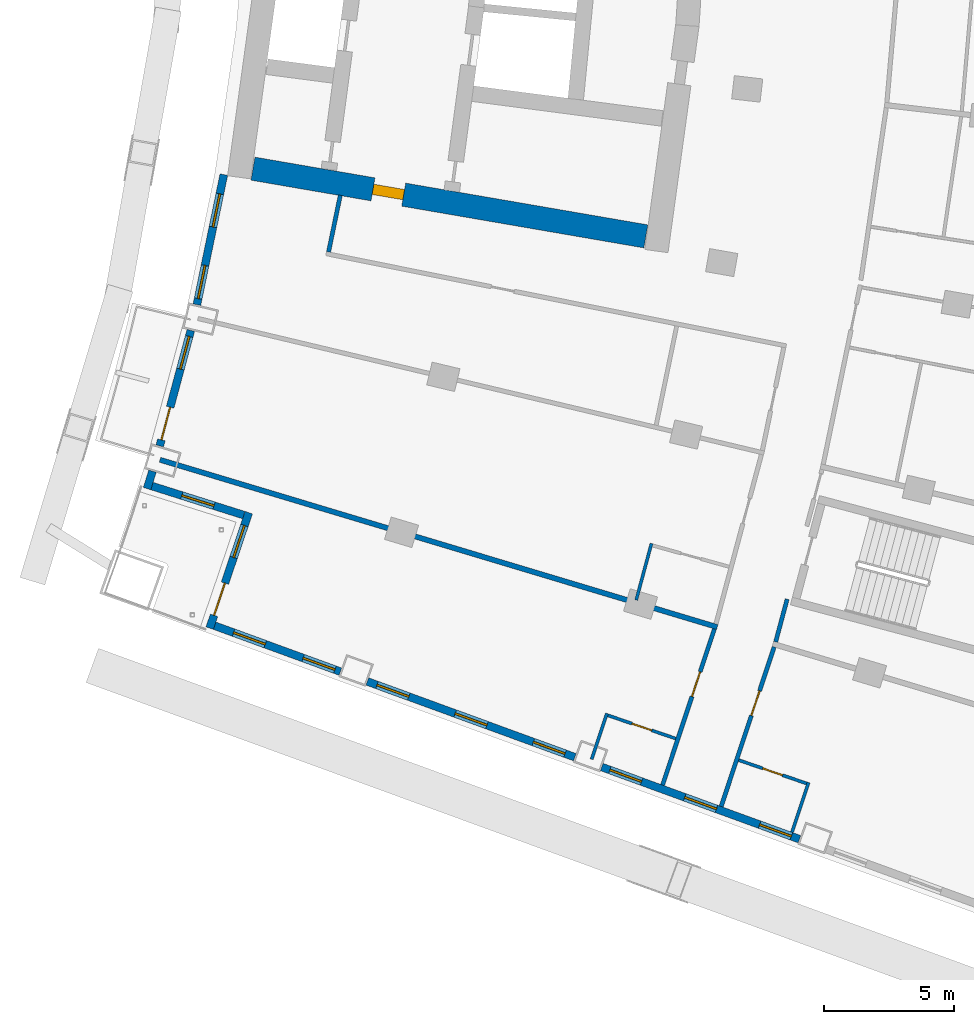
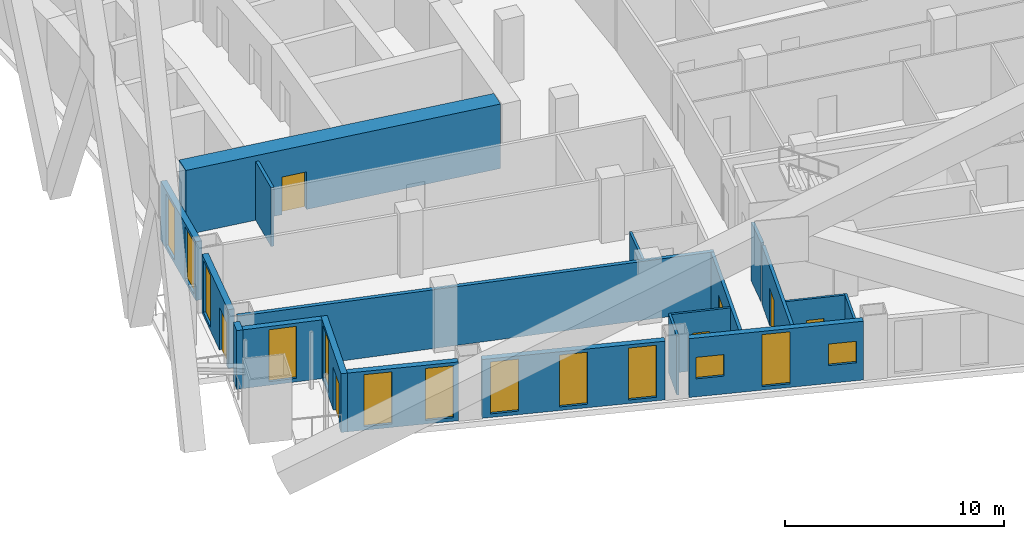
# One storey, part 13 of 25: 19 walls, 13 windows, 7 doors, 20 openings.
"""IFC4 building model written with IfcOpenShell, lengths in metres."""

from ifc_helpers import new_model, si_unit, direction, frame, frame_2d, origin, place, context, subcontext, project, spatial, rectangle, extrude, material, layer, layer_set, type_object, element, fill, save


model = new_model("IFC4")

# Units and contexts
model_context = context("Model", 3, precision=1e-05, world=origin(), true_north=direction((0.0, 1.0)))
body_context = subcontext(model_context, "Body", "Model", "MODEL_VIEW")
ifc_project = project(units=[si_unit("LENGTHUNIT", "METRE"), si_unit("AREAUNIT", "SQUARE_METRE"), si_unit("VOLUMEUNIT", "CUBIC_METRE"), si_unit("PLANEANGLEUNIT", "RADIAN"), si_unit("MASSUNIT", "GRAM", prefix="KILO")], contexts=[model_context])

# Site, building, storey
site_placement = place(None, origin())
site = spatial("IfcSite", under=ifc_project, at=site_placement, CompositionType="ELEMENT")
building_placement = place(site_placement, origin())
building = spatial("IfcBuilding", under=site, at=building_placement, Name="Alderwake Tower", CompositionType="ELEMENT")
storey_placement = place(building_placement, frame((0.0, 0.0, 32.0)))
storey = spatial("IfcBuildingStorey", under=building, at=storey_placement, Name="L06", CompositionType="ELEMENT", Elevation=32.0)

# Wall, opening, door
ifc_material_1 = material(Name="Concrete C70/85", Category="concrete")
ifc_layer_1 = layer(ifc_material_1, 0.89990234375)
ifc_layer_set_1 = layer_set([ifc_layer_1], Name="Core wall outer 900 C70-85")
wall_type_1 = type_object("IfcWallType", Name="Core wall outer 900 C70-85", PredefinedType="SHEAR", material=ifc_layer_set_1)
wall_1_placement = place(storey_placement, frame((31.11328125, 41.846923828125, 0.0), z_axis=(0.0, 0.0, 1.0), x_axis=(-0.985466640605, 0.169869067972, 0.0)))
wall_1 = element("IfcWall", 1, at=wall_1_placement, inside=storey, type_object=wall_type_1, Name="Core wall CW.070", PredefinedType="SHEAR", context=body_context, shape_type="SweptSolid", body=[
    extrude(rectangle(XDim=15.336669921875, YDim=0.89990234375, at=frame_2d((7.66845703125, 0.0))), origin(), (0.0, 0.0, 1.0), 3.60009765625),
])
opening_1_placement = place(wall_1_placement, frame((9.451904296875, 0.0, 0.0)))
opening_1 = element("IfcOpeningElement", 2, at=opening_1_placement, cuts=wall_1, Name="Opening C003", PredefinedType="OPENING", context=body_context, shape_type="SweptSolid", body=[
    extrude(rectangle(XDim=1.199951171875, YDim=2.10009765625, at=frame_2d((0.60009765625, 1.050048828125))), frame((0.0, 0.4599609375, 0.0), z_axis=(0.0, -1.0, 0.0), x_axis=(1.0, 0.0, 0.0)), (0.0, 0.0, 1.0), 0.919921875),
])
ifc_material_2 = material(Name="Steel-framed fire door leaf", Category="steel")
door_type_1 = type_object("IfcDoorType", Name="Core lobby exit door 1200 fire-rated", OperationType="SINGLE_SWING_LEFT", PredefinedType="DOOR", material=ifc_material_2)
door_1_placement = place(opening_1_placement, origin())
door_1 = element("IfcDoor", 3, at=door_1_placement, inside=storey, type_object=door_type_1, Name="Lobby door", OperationType="SINGLE_SWING_LEFT", OverallHeight=2.10009765625, OverallWidth=1.199951171875, PredefinedType="DOOR", context=body_context, shape_type="SweptSolid", body=[
    extrude(rectangle(XDim=1.199951171875, YDim=2.10009765625, at=frame_2d((0.60009765625, 1.050048828125))), frame((0.0, 0.199951171875, 0.0), z_axis=(0.0, -1.0, 0.0), x_axis=(1.0, 0.0, 0.0)), (0.0, 0.0, 1.0), 0.39990234375),
])
fill(opening_1, door_1)

# Wall
ifc_material_3 = material(Name="Gypsum board on metal studs, rated")
ifc_layer_2 = layer(ifc_material_3, 0.159912109375)
ifc_layer_set_2 = layer_set([ifc_layer_2], Name="Corridor wall 160")
wall_type_2 = type_object("IfcWallType", Name="Corridor wall 160", PredefinedType="PARTITIONING", material=ifc_layer_set_2)
wall_2_placement = place(storey_placement, frame((19.35888671875, 43.430908203125, 0.0), z_axis=(0.0, 0.0, 1.0), x_axis=(-0.202554916658, -0.979270905183, 0.0)))
element("IfcWall", 4, at=wall_2_placement, inside=storey, type_object=wall_type_2, Name="WL/L06/W19", PredefinedType="PARTITIONING", context=body_context, shape_type="SweptSolid", body=[
    extrude(rectangle(XDim=2.229736328125, YDim=0.159912109375, at=frame_2d((1.11474609375, 0.0))), origin(), (0.0, 0.0, 1.0), 3.280029296875),
])

# Wall, opening, door
wall_3_placement = place(storey_placement, frame((31.7548828125, 20.739013671875, 0.0), z_axis=(0.0, 0.0, 1.0), x_axis=(0.31554473692, 0.948910701279, 0.0)))
wall_3 = element("IfcWall", 5, at=wall_3_placement, inside=storey, type_object=wall_type_2, Name="WL/L06/W21", PredefinedType="PARTITIONING", context=body_context, shape_type="SweptSolid", body=[
    extrude(rectangle(XDim=6.327392578125, YDim=0.159912109375, at=frame_2d((3.16357421875, 0.0))), origin(), (0.0, 0.0, 1.0), 3.280029296875),
])
opening_2_placement = place(wall_3_placement, frame((3.59130859375, 0.0, 0.0)))
opening_2 = element("IfcOpeningElement", 6, at=opening_2_placement, cuts=wall_3, Name="Opening R01-U10.1", PredefinedType="OPENING", context=body_context, shape_type="SweptSolid", body=[
    extrude(rectangle(XDim=1.0, YDim=2.10009765625, at=frame_2d((0.5, 1.050048828125))), frame((0.0, 0.08984375, 0.0), z_axis=(0.0, -1.0, 0.0), x_axis=(1.0, 0.0, 0.0)), (0.0, 0.0, 1.0), 0.179931640625),
])
ifc_material_4 = material(Name="Solid timber leaf in steel frame", Category="steel")
door_type_2 = type_object("IfcDoorType", Name="Flat entrance door 1000 fire-rated", OperationType="SINGLE_SWING_LEFT", PredefinedType="DOOR", material=ifc_material_4)
door_2_placement = place(opening_2_placement, origin())
door_2 = element("IfcDoor", 7, at=door_2_placement, inside=storey, type_object=door_type_2, Name="DR/L06/U10.1", OperationType="SINGLE_SWING_LEFT", OverallHeight=2.10009765625, OverallWidth=1.0, PredefinedType="DOOR", context=body_context, shape_type="SweptSolid", body=[
    extrude(rectangle(XDim=1.0, YDim=2.10009765625, at=frame_2d((0.5, 1.050048828125))), frame((0.0, 0.02490234375, 0.0), z_axis=(0.0, -1.0, 0.0), x_axis=(1.0, 0.0, 0.0)), (0.0, 0.0, 1.0), 0.050048828125),
])
fill(opening_2, door_2)

wall_4_placement = place(storey_placement, frame((36.049560546875, 26.052978515625, 0.0), z_axis=(0.0, 0.0, 1.0), x_axis=(-0.315151894598, -0.949041244273, 0.0)))
wall_4 = element("IfcWall", 8, at=wall_4_placement, inside=storey, type_object=wall_type_2, Name="WL/L06/W23", PredefinedType="PARTITIONING", context=body_context, shape_type="SweptSolid", body=[
    extrude(rectangle(XDim=6.468505859375, YDim=0.159912109375, at=frame_2d((3.234375, 0.0))), origin(), (0.0, 0.0, 1.0), 3.280029296875),
])
opening_3_placement = place(wall_4_placement, frame((1.7822265625, 0.0, 0.0)))
opening_3 = element("IfcOpeningElement", 9, at=opening_3_placement, cuts=wall_4, Name="Opening R01-U03.1", PredefinedType="OPENING", context=body_context, shape_type="SweptSolid", body=[
    extrude(rectangle(XDim=1.0, YDim=2.10009765625, at=frame_2d((0.5, 1.050048828125))), frame((0.0, 0.08984375, 0.0), z_axis=(0.0, -1.0, 0.0), x_axis=(1.0, 0.0, 0.0)), (0.0, 0.0, 1.0), 0.179931640625),
])
door_3_placement = place(opening_3_placement, origin())
door_3 = element("IfcDoor", 10, at=door_3_placement, inside=storey, type_object=door_type_2, Name="DR/L06/U03.1", OperationType="SINGLE_SWING_LEFT", OverallHeight=2.10009765625, OverallWidth=1.0, PredefinedType="DOOR", context=body_context, shape_type="SweptSolid", body=[
    extrude(rectangle(XDim=1.0, YDim=2.10009765625, at=frame_2d((0.5, 1.050048828125))), frame((0.0, 0.02490234375, 0.0), z_axis=(0.0, -1.0, 0.0), x_axis=(1.0, 0.0, 0.0)), (0.0, 0.0, 1.0), 0.050048828125),
])
fill(opening_3, door_3)

# Walls
wall_5_placement = place(storey_placement, frame((36.10693359375, 26.24462890625, 0.0), z_axis=(0.0, 0.0, 1.0), x_axis=(0.259346865847, 0.965784242559, 0.0)))
element("IfcWall", 11, at=wall_5_placement, inside=storey, type_object=wall_type_2, Name="WL/L06/W27", PredefinedType="PARTITIONING", context=body_context, shape_type="SweptSolid", body=[
    extrude(rectangle(XDim=1.704833984375, YDim=0.159912109375, at=frame_2d((0.8525390625, 0.0))), origin(), (0.0, 0.0, 1.0), 3.280029296875),
])
ifc_material_5 = material(Name="Precast concrete C50/60 spandrel panel", Category="concrete")
ifc_layer_3 = layer(ifc_material_5, 0.300048828125)
ifc_layer_set_3 = layer_set([ifc_layer_3], Name="External wall EW1 Precast concrete C50/60 spandrel")
wall_type_3 = type_object("IfcWallType", Name="External wall EW1 Precast concrete C50/60 spandrel", PredefinedType="SOLIDWALL", material=ifc_layer_set_3)
wall_6_placement = place(storey_placement, frame((12.1328125, 32.814453125, 0.0), z_axis=(0.0, 0.0, 1.0), x_axis=(-0.294671831364, -0.955598509731, 0.0)))
element("IfcWall", 12, at=wall_6_placement, inside=storey, type_object=wall_type_3, Name="External wall 1", PredefinedType="SOLIDWALL", context=body_context, shape_type="SweptSolid", body=[
    extrude(rectangle(XDim=0.70263671875, YDim=0.300048828125, at=frame_2d((0.351318359375, 0.0))), origin(), (0.0, 0.0, 1.0), 3.280029296875),
])

# Wall, openings, windows
wall_7_placement = place(storey_placement, frame((14.878173828125, 44.223388671875, 0.0), z_axis=(0.0, 0.0, 1.0), x_axis=(-0.202738354746, -0.979232944459, 0.0)))
wall_7 = element("IfcWall", 13, at=wall_7_placement, inside=storey, type_object=wall_type_3, Name="External wall 35", PredefinedType="SOLIDWALL", context=body_context, shape_type="SweptSolid", body=[
    extrude(rectangle(XDim=5.1083984375, YDim=0.300048828125, at=frame_2d((2.55419921875, 0.0))), origin(), (0.0, 0.0, 1.0), 3.280029296875),
])
opening_4_placement = place(wall_7_placement, frame((0.75634765625, 0.0, 0.199951171875)))
opening_4 = element("IfcOpeningElement", 14, at=opening_4_placement, cuts=wall_7, Name="Opening W1", PredefinedType="OPENING", context=body_context, shape_type="SweptSolid", body=[
    extrude(rectangle(XDim=1.300048828125, YDim=2.89990234375, at=frame_2d((0.64990234375, 1.449951171875))), frame((0.0, 0.159912109375, 0.0), z_axis=(0.0, -1.0, 0.0), x_axis=(1.0, 0.0, 0.0)), (0.0, 0.0, 1.0), 0.320068359375),
])
opening_5_placement = place(wall_7_placement, frame((3.569091796875, 0.0, 0.199951171875)))
opening_5 = element("IfcOpeningElement", 15, at=opening_5_placement, cuts=wall_7, Name="Opening W1", PredefinedType="OPENING", context=body_context, shape_type="SweptSolid", body=[
    extrude(rectangle(XDim=1.300048828125, YDim=2.89990234375, at=frame_2d((0.64990234375, 1.449951171875))), frame((0.0, 0.159912109375, 0.0), z_axis=(0.0, -1.0, 0.0), x_axis=(1.0, 0.0, 0.0)), (0.0, 0.0, 1.0), 0.320068359375),
])
ifc_material_6 = material(Name="Bronze tinted glass in aluminium frame", Category="aluminium")
window_type_1 = type_object("IfcWindowType", Name="Window W1 tall fixed and vent", PartitioningType="DOUBLE_PANEL_VERTICAL", PredefinedType="WINDOW", material=ifc_material_6)
window_1_placement = place(opening_4_placement, origin())
window_1 = element("IfcWindow", 16, at=window_1_placement, inside=storey, type_object=window_type_1, Name="Window W1 tall fixed and vent", OverallHeight=2.89990234375, OverallWidth=1.300048828125, PartitioningType="DOUBLE_PANEL_VERTICAL", PredefinedType="WINDOW", context=body_context, shape_type="SweptSolid", body=[
    extrude(rectangle(XDim=1.300048828125, YDim=2.89990234375, at=frame_2d((0.64990234375, 1.449951171875))), frame((0.0, 0.030029296875, 0.0), z_axis=(0.0, -1.0, 0.0), x_axis=(1.0, 0.0, 0.0)), (0.0, 0.0, 1.0), 0.06005859375),
])
fill(opening_4, window_1)
window_2_placement = place(opening_5_placement, origin())
window_2 = element("IfcWindow", 17, at=window_2_placement, inside=storey, type_object=window_type_1, Name="Window W1 tall fixed and vent", OverallHeight=2.89990234375, OverallWidth=1.300048828125, PartitioningType="DOUBLE_PANEL_VERTICAL", PredefinedType="WINDOW", context=body_context, shape_type="SweptSolid", body=[
    extrude(rectangle(XDim=1.300048828125, YDim=2.89990234375, at=frame_2d((0.64990234375, 1.449951171875))), frame((0.0, 0.030029296875, 0.0), z_axis=(0.0, -1.0, 0.0), x_axis=(1.0, 0.0, 0.0)), (0.0, 0.0, 1.0), 0.06005859375),
])
fill(opening_5, window_2)

# Wall, openings, door, window
wall_8_placement = place(storey_placement, frame((13.606689453125, 38.229248046875, 0.0), z_axis=(0.0, 0.0, 1.0), x_axis=(-0.259495671332, -0.965744270788, 0.0)))
wall_8 = element("IfcWall", 18, at=wall_8_placement, inside=storey, type_object=wall_type_3, Name="External wall 36", PredefinedType="SOLIDWALL", context=body_context, shape_type="SweptSolid", body=[
    extrude(rectangle(XDim=4.599609375, YDim=0.300048828125, at=frame_2d((2.2998046875, 0.0))), origin(), (0.0, 0.0, 1.0), 3.280029296875),
])
opening_6_placement = place(wall_8_placement, frame((0.2412109375, 0.0, 0.199951171875)))
opening_6 = element("IfcOpeningElement", 19, at=opening_6_placement, cuts=wall_8, Name="Opening W1", PredefinedType="OPENING", context=body_context, shape_type="SweptSolid", body=[
    extrude(rectangle(XDim=1.300048828125, YDim=2.89990234375, at=frame_2d((0.64990234375, 1.449951171875))), frame((0.0, 0.159912109375, 0.0), z_axis=(0.0, -1.0, 0.0), x_axis=(1.0, 0.0, 0.0)), (0.0, 0.0, 1.0), 0.320068359375),
])
opening_7_placement = place(wall_8_placement, frame((3.058349609375, 0.0, 0.0)))
opening_7 = element("IfcOpeningElement", 20, at=opening_7_placement, cuts=wall_8, Name="Opening D15", PredefinedType="OPENING", context=body_context, shape_type="SweptSolid", body=[
    extrude(rectangle(XDim=1.300048828125, YDim=2.39990234375, at=frame_2d((0.64990234375, 1.199951171875))), frame((0.0, 0.159912109375, 0.0), z_axis=(0.0, -1.0, 0.0), x_axis=(1.0, 0.0, 0.0)), (0.0, 0.0, 1.0), 0.320068359375),
])
ifc_material_7 = material(Name="Bronze tinted glass in aluminium frame", Category="aluminium")
door_type_3 = type_object("IfcDoorType", Name="Balcony door BD sliding", OperationType="SLIDING_TO_LEFT", PredefinedType="DOOR", material=ifc_material_7)
door_4_placement = place(opening_7_placement, origin())
door_4 = element("IfcDoor", 21, at=door_4_placement, inside=storey, type_object=door_type_3, Name="Door D15", OperationType="SLIDING_TO_LEFT", OverallHeight=2.39990234375, OverallWidth=1.300048828125, PredefinedType="DOOR", context=body_context, shape_type="SweptSolid", body=[
    extrude(rectangle(XDim=1.300048828125, YDim=2.39990234375, at=frame_2d((0.64990234375, 1.199951171875))), frame((0.0, 0.02490234375, 0.0), z_axis=(0.0, -1.0, 0.0), x_axis=(1.0, 0.0, 0.0)), (0.0, 0.0, 1.0), 0.050048828125),
])
fill(opening_7, door_4)
window_3_placement = place(opening_6_placement, origin())
window_3 = element("IfcWindow", 22, at=window_3_placement, inside=storey, type_object=window_type_1, Name="Window W1 tall fixed and vent", OverallHeight=2.89990234375, OverallWidth=1.300048828125, PartitioningType="DOUBLE_PANEL_VERTICAL", PredefinedType="WINDOW", context=body_context, shape_type="SweptSolid", body=[
    extrude(rectangle(XDim=1.300048828125, YDim=2.89990234375, at=frame_2d((0.64990234375, 1.449951171875))), frame((0.0, 0.030029296875, 0.0), z_axis=(0.0, -1.0, 0.0), x_axis=(1.0, 0.0, 0.0)), (0.0, 0.0, 1.0), 0.06005859375),
])
fill(opening_6, window_3)

# Wall, opening, window
ifc_material_8 = material(Name="Bronze metal cladding on lightweight framing")
ifc_layer_4 = layer(ifc_material_8, 0.300048828125)
ifc_layer_set_4 = layer_set([ifc_layer_4], Name="External wall EW2 bronze metal cladding")
wall_type_4 = type_object("IfcWallType", Name="External wall EW2 bronze metal cladding", PredefinedType="SOLIDWALL", material=ifc_layer_set_4)
wall_9_placement = place(storey_placement, frame((12.113037109375, 32.2412109375, 0.0), z_axis=(0.0, 0.0, 1.0), x_axis=(0.953458128271, -0.301525451054, 0.0)))
wall_9 = element("IfcWall", 23, at=wall_9_placement, inside=storey, type_object=wall_type_4, Name="External wall 2", PredefinedType="SOLIDWALL", context=body_context, shape_type="SweptSolid", body=[
    extrude(rectangle(XDim=3.705810546875, YDim=0.300048828125, at=frame_2d((1.85302734375, 0.0))), origin(), (0.0, 0.0, 1.0), 3.280029296875),
])
opening_8_placement = place(wall_9_placement, frame((1.202880859375, 0.0, 0.199951171875)))
opening_8 = element("IfcOpeningElement", 24, at=opening_8_placement, cuts=wall_9, Name="Opening W1", PredefinedType="OPENING", context=body_context, shape_type="SweptSolid", body=[
    extrude(rectangle(XDim=1.300048828125, YDim=2.89990234375, at=frame_2d((0.64990234375, 1.449951171875))), frame((0.0, 0.159912109375, 0.0), z_axis=(0.0, -1.0, 0.0), x_axis=(1.0, 0.0, 0.0)), (0.0, 0.0, 1.0), 0.320068359375),
])
window_4_placement = place(opening_8_placement, origin())
window_4 = element("IfcWindow", 25, at=window_4_placement, inside=storey, type_object=window_type_1, Name="Window W1 tall fixed and vent", OverallHeight=2.89990234375, OverallWidth=1.300048828125, PartitioningType="DOUBLE_PANEL_VERTICAL", PredefinedType="WINDOW", context=body_context, shape_type="SweptSolid", body=[
    extrude(rectangle(XDim=1.300048828125, YDim=2.89990234375, at=frame_2d((0.64990234375, 1.449951171875))), frame((0.0, 0.030029296875, 0.0), z_axis=(0.0, -1.0, 0.0), x_axis=(1.0, 0.0, 0.0)), (0.0, 0.0, 1.0), 0.06005859375),
])
fill(opening_8, window_4)

# Wall, openings, door, window
wall_10_placement = place(storey_placement, frame((15.83740234375, 31.220703125, 0.0), z_axis=(0.0, 0.0, 1.0), x_axis=(-0.32041006121, -0.947278941324, 0.0)))
wall_10 = element("IfcWall", 26, at=wall_10_placement, inside=storey, type_object=wall_type_4, Name="External wall 3", PredefinedType="SOLIDWALL", context=body_context, shape_type="SweptSolid", body=[
    extrude(rectangle(XDim=4.68994140625, YDim=0.300048828125, at=frame_2d((2.344970703125, 0.0))), origin(), (0.0, 0.0, 1.0), 3.280029296875),
])
opening_9_placement = place(wall_10_placement, frame((0.5224609375, 0.0, 0.199951171875)))
opening_9 = element("IfcOpeningElement", 27, at=opening_9_placement, cuts=wall_10, Name="Opening W1", PredefinedType="OPENING", context=body_context, shape_type="SweptSolid", body=[
    extrude(rectangle(XDim=1.300048828125, YDim=2.89990234375, at=frame_2d((0.64990234375, 1.449951171875))), frame((0.0, 0.159912109375, 0.0), z_axis=(0.0, -1.0, 0.0), x_axis=(1.0, 0.0, 0.0)), (0.0, 0.0, 1.0), 0.320068359375),
])
opening_10_placement = place(wall_10_placement, frame((2.867431640625, 0.0, 0.0)))
opening_10 = element("IfcOpeningElement", 28, at=opening_10_placement, cuts=wall_10, Name="Opening D01", PredefinedType="OPENING", context=body_context, shape_type="SweptSolid", body=[
    extrude(rectangle(XDim=1.300048828125, YDim=2.39990234375, at=frame_2d((0.64990234375, 1.199951171875))), frame((0.0, 0.159912109375, 0.0), z_axis=(0.0, -1.0, 0.0), x_axis=(1.0, 0.0, 0.0)), (0.0, 0.0, 1.0), 0.320068359375),
])
door_5_placement = place(opening_10_placement, origin())
door_5 = element("IfcDoor", 29, at=door_5_placement, inside=storey, type_object=door_type_3, Name="Door D01", OperationType="SLIDING_TO_LEFT", OverallHeight=2.39990234375, OverallWidth=1.300048828125, PredefinedType="DOOR", context=body_context, shape_type="SweptSolid", body=[
    extrude(rectangle(XDim=1.300048828125, YDim=2.39990234375, at=frame_2d((0.64990234375, 1.199951171875))), frame((0.0, 0.02490234375, 0.0), z_axis=(0.0, -1.0, 0.0), x_axis=(1.0, 0.0, 0.0)), (0.0, 0.0, 1.0), 0.050048828125),
])
fill(opening_10, door_5)
window_5_placement = place(opening_9_placement, origin())
window_5 = element("IfcWindow", 30, at=window_5_placement, inside=storey, type_object=window_type_1, Name="Window W1 tall fixed and vent", OverallHeight=2.89990234375, OverallWidth=1.300048828125, PartitioningType="DOUBLE_PANEL_VERTICAL", PredefinedType="WINDOW", context=body_context, shape_type="SweptSolid", body=[
    extrude(rectangle(XDim=1.300048828125, YDim=2.89990234375, at=frame_2d((0.64990234375, 1.449951171875))), frame((0.0, 0.030029296875, 0.0), z_axis=(0.0, -1.0, 0.0), x_axis=(1.0, 0.0, 0.0)), (0.0, 0.0, 1.0), 0.06005859375),
])
fill(opening_9, window_5)

# Wall, openings, windows
wall_11_placement = place(storey_placement, frame((14.523681640625, 26.86865234375, 0.0), z_axis=(0.0, 0.0, 1.0), x_axis=(0.939371865822, -0.342900127883, 0.0)))
wall_11 = element("IfcWall", 31, at=wall_11_placement, inside=storey, type_object=wall_type_4, Name="External wall 4", PredefinedType="SOLIDWALL", context=body_context, shape_type="SweptSolid", body=[
    extrude(rectangle(XDim=5.149169921875, YDim=0.300048828125, at=frame_2d((2.57470703125, 0.0))), origin(), (0.0, 0.0, 1.0), 3.280029296875),
])
opening_11_placement = place(wall_11_placement, frame((0.775390625, 0.0, 0.199951171875)))
opening_11 = element("IfcOpeningElement", 32, at=opening_11_placement, cuts=wall_11, Name="Opening W1", PredefinedType="OPENING", context=body_context, shape_type="SweptSolid", body=[
    extrude(rectangle(XDim=1.300048828125, YDim=2.89990234375, at=frame_2d((0.64990234375, 1.449951171875))), frame((0.0, 0.159912109375, 0.0), z_axis=(0.0, -1.0, 0.0), x_axis=(1.0, 0.0, 0.0)), (0.0, 0.0, 1.0), 0.320068359375),
])
opening_12_placement = place(wall_11_placement, frame((3.626220703125, 0.0, 0.199951171875)))
opening_12 = element("IfcOpeningElement", 33, at=opening_12_placement, cuts=wall_11, Name="Opening W1", PredefinedType="OPENING", context=body_context, shape_type="SweptSolid", body=[
    extrude(rectangle(XDim=1.300048828125, YDim=2.89990234375, at=frame_2d((0.64990234375, 1.449951171875))), frame((0.0, 0.159912109375, 0.0), z_axis=(0.0, -1.0, 0.0), x_axis=(1.0, 0.0, 0.0)), (0.0, 0.0, 1.0), 0.320068359375),
])
window_6_placement = place(opening_11_placement, origin())
window_6 = element("IfcWindow", 34, at=window_6_placement, inside=storey, type_object=window_type_1, Name="Window W1 tall fixed and vent", OverallHeight=2.89990234375, OverallWidth=1.300048828125, PartitioningType="DOUBLE_PANEL_VERTICAL", PredefinedType="WINDOW", context=body_context, shape_type="SweptSolid", body=[
    extrude(rectangle(XDim=1.300048828125, YDim=2.89990234375, at=frame_2d((0.64990234375, 1.449951171875))), frame((0.0, 0.030029296875, 0.0), z_axis=(0.0, -1.0, 0.0), x_axis=(1.0, 0.0, 0.0)), (0.0, 0.0, 1.0), 0.06005859375),
])
fill(opening_11, window_6)
window_7_placement = place(opening_12_placement, origin())
window_7 = element("IfcWindow", 35, at=window_7_placement, inside=storey, type_object=window_type_1, Name="Window W1 tall fixed and vent", OverallHeight=2.89990234375, OverallWidth=1.300048828125, PartitioningType="DOUBLE_PANEL_VERTICAL", PredefinedType="WINDOW", context=body_context, shape_type="SweptSolid", body=[
    extrude(rectangle(XDim=1.300048828125, YDim=2.89990234375, at=frame_2d((0.64990234375, 1.449951171875))), frame((0.0, 0.030029296875, 0.0), z_axis=(0.0, -1.0, 0.0), x_axis=(1.0, 0.0, 0.0)), (0.0, 0.0, 1.0), 0.06005859375),
])
fill(opening_12, window_7)

wall_12_placement = place(storey_placement, frame((20.398681640625, 24.72412109375, 0.0), z_axis=(0.0, 0.0, 1.0), x_axis=(0.939369809957, -0.342905759856, 0.0)))
wall_12 = element("IfcWall", 36, at=wall_12_placement, inside=storey, type_object=wall_type_4, Name="External wall 5", PredefinedType="SOLIDWALL", context=body_context, shape_type="SweptSolid", body=[
    extrude(rectangle(XDim=8.495361328125, YDim=0.300048828125, at=frame_2d((4.24755859375, 0.0))), origin(), (0.0, 0.0, 1.0), 3.280029296875),
])
opening_13_placement = place(wall_12_placement, frame((0.3974609375, 0.0, 0.199951171875)))
opening_13 = element("IfcOpeningElement", 37, at=opening_13_placement, cuts=wall_12, Name="Opening W1", PredefinedType="OPENING", context=body_context, shape_type="SweptSolid", body=[
    extrude(rectangle(XDim=1.300048828125, YDim=2.89990234375, at=frame_2d((0.64990234375, 1.449951171875))), frame((0.0, 0.159912109375, 0.0), z_axis=(0.0, -1.0, 0.0), x_axis=(1.0, 0.0, 0.0)), (0.0, 0.0, 1.0), 0.320068359375),
])
opening_14_placement = place(wall_12_placement, frame((3.597412109375, 0.0, 0.199951171875)))
opening_14 = element("IfcOpeningElement", 38, at=opening_14_placement, cuts=wall_12, Name="Opening W1", PredefinedType="OPENING", context=body_context, shape_type="SweptSolid", body=[
    extrude(rectangle(XDim=1.300048828125, YDim=2.89990234375, at=frame_2d((0.64990234375, 1.449951171875))), frame((0.0, 0.159912109375, 0.0), z_axis=(0.0, -1.0, 0.0), x_axis=(1.0, 0.0, 0.0)), (0.0, 0.0, 1.0), 0.320068359375),
])
opening_15_placement = place(wall_12_placement, frame((6.797607421875, 0.0, 0.199951171875)))
opening_15 = element("IfcOpeningElement", 39, at=opening_15_placement, cuts=wall_12, Name="Opening W1", PredefinedType="OPENING", context=body_context, shape_type="SweptSolid", body=[
    extrude(rectangle(XDim=1.300048828125, YDim=2.89990234375, at=frame_2d((0.64990234375, 1.449951171875))), frame((0.0, 0.159912109375, 0.0), z_axis=(0.0, -1.0, 0.0), x_axis=(1.0, 0.0, 0.0)), (0.0, 0.0, 1.0), 0.320068359375),
])
window_8_placement = place(opening_13_placement, origin())
window_8 = element("IfcWindow", 40, at=window_8_placement, inside=storey, type_object=window_type_1, Name="Window W1 tall fixed and vent", OverallHeight=2.89990234375, OverallWidth=1.300048828125, PartitioningType="DOUBLE_PANEL_VERTICAL", PredefinedType="WINDOW", context=body_context, shape_type="SweptSolid", body=[
    extrude(rectangle(XDim=1.300048828125, YDim=2.89990234375, at=frame_2d((0.64990234375, 1.449951171875))), frame((0.0, 0.030029296875, 0.0), z_axis=(0.0, -1.0, 0.0), x_axis=(1.0, 0.0, 0.0)), (0.0, 0.0, 1.0), 0.06005859375),
])
fill(opening_13, window_8)
window_9_placement = place(opening_14_placement, origin())
window_9 = element("IfcWindow", 41, at=window_9_placement, inside=storey, type_object=window_type_1, Name="Window W1 tall fixed and vent", OverallHeight=2.89990234375, OverallWidth=1.300048828125, PartitioningType="DOUBLE_PANEL_VERTICAL", PredefinedType="WINDOW", context=body_context, shape_type="SweptSolid", body=[
    extrude(rectangle(XDim=1.300048828125, YDim=2.89990234375, at=frame_2d((0.64990234375, 1.449951171875))), frame((0.0, 0.030029296875, 0.0), z_axis=(0.0, -1.0, 0.0), x_axis=(1.0, 0.0, 0.0)), (0.0, 0.0, 1.0), 0.06005859375),
])
fill(opening_14, window_9)
window_10_placement = place(opening_15_placement, origin())
window_10 = element("IfcWindow", 42, at=window_10_placement, inside=storey, type_object=window_type_1, Name="Window W1 tall fixed and vent", OverallHeight=2.89990234375, OverallWidth=1.300048828125, PartitioningType="DOUBLE_PANEL_VERTICAL", PredefinedType="WINDOW", context=body_context, shape_type="SweptSolid", body=[
    extrude(rectangle(XDim=1.300048828125, YDim=2.89990234375, at=frame_2d((0.64990234375, 1.449951171875))), frame((0.0, 0.030029296875, 0.0), z_axis=(0.0, -1.0, 0.0), x_axis=(1.0, 0.0, 0.0)), (0.0, 0.0, 1.0), 0.06005859375),
])
fill(opening_15, window_10)

wall_13_placement = place(storey_placement, frame((29.416748046875, 21.432373046875, 0.0), z_axis=(0.0, 0.0, 1.0), x_axis=(0.939375360712, -0.34289055351, 0.0)))
wall_13 = element("IfcWall", 43, at=wall_13_placement, inside=storey, type_object=wall_type_4, Name="External wall 6", PredefinedType="SOLIDWALL", context=body_context, shape_type="SweptSolid", body=[
    extrude(rectangle(XDim=8.095458984375, YDim=0.300048828125, at=frame_2d((4.0478515625, 0.0))), origin(), (0.0, 0.0, 1.0), 3.280029296875),
])
opening_16_placement = place(wall_13_placement, frame((0.3310546875, 0.0, 1.0)))
opening_16 = element("IfcOpeningElement", 44, at=opening_16_placement, cuts=wall_13, Name="Opening W2", PredefinedType="OPENING", context=body_context, shape_type="SweptSolid", body=[
    extrude(rectangle(XDim=1.300048828125, YDim=1.199951171875, at=frame_2d((0.64990234375, 0.60009765625))), frame((0.0, 0.159912109375, 0.0), z_axis=(0.0, -1.0, 0.0), x_axis=(1.0, 0.0, 0.0)), (0.0, 0.0, 1.0), 0.320068359375),
])
opening_17_placement = place(wall_13_placement, frame((3.397705078125, 0.0, 0.199951171875)))
opening_17 = element("IfcOpeningElement", 45, at=opening_17_placement, cuts=wall_13, Name="Opening W1", PredefinedType="OPENING", context=body_context, shape_type="SweptSolid", body=[
    extrude(rectangle(XDim=1.300048828125, YDim=2.89990234375, at=frame_2d((0.64990234375, 1.449951171875))), frame((0.0, 0.159912109375, 0.0), z_axis=(0.0, -1.0, 0.0), x_axis=(1.0, 0.0, 0.0)), (0.0, 0.0, 1.0), 0.320068359375),
])
opening_18_placement = place(wall_13_placement, frame((6.464599609375, 0.0, 1.0)))
opening_18 = element("IfcOpeningElement", 46, at=opening_18_placement, cuts=wall_13, Name="Opening W2", PredefinedType="OPENING", context=body_context, shape_type="SweptSolid", body=[
    extrude(rectangle(XDim=1.300048828125, YDim=1.199951171875, at=frame_2d((0.64990234375, 0.60009765625))), frame((0.0, 0.159912109375, 0.0), z_axis=(0.0, -1.0, 0.0), x_axis=(1.0, 0.0, 0.0)), (0.0, 0.0, 1.0), 0.320068359375),
])
window_11_placement = place(opening_17_placement, origin())
window_11 = element("IfcWindow", 47, at=window_11_placement, inside=storey, type_object=window_type_1, Name="Window W1 tall fixed and vent", OverallHeight=2.89990234375, OverallWidth=1.300048828125, PartitioningType="DOUBLE_PANEL_VERTICAL", PredefinedType="WINDOW", context=body_context, shape_type="SweptSolid", body=[
    extrude(rectangle(XDim=1.300048828125, YDim=2.89990234375, at=frame_2d((0.64990234375, 1.449951171875))), frame((0.0, 0.030029296875, 0.0), z_axis=(0.0, -1.0, 0.0), x_axis=(1.0, 0.0, 0.0)), (0.0, 0.0, 1.0), 0.06005859375),
])
fill(opening_17, window_11)
ifc_material_9 = material(Name="Bronze tinted glass in aluminium frame", Category="aluminium")
window_type_2 = type_object("IfcWindowType", Name="Window W2 kitchen and bath", PartitioningType="SINGLE_PANEL", PredefinedType="WINDOW", material=ifc_material_9)
window_12_placement = place(opening_16_placement, origin())
window_12 = element("IfcWindow", 48, at=window_12_placement, inside=storey, type_object=window_type_2, Name="Window W2 kitchen and bath", OverallHeight=1.199951171875, OverallWidth=1.300048828125, PartitioningType="SINGLE_PANEL", PredefinedType="WINDOW", context=body_context, shape_type="SweptSolid", body=[
    extrude(rectangle(XDim=1.300048828125, YDim=1.199951171875, at=frame_2d((0.64990234375, 0.60009765625))), frame((0.0, 0.030029296875, 0.0), z_axis=(0.0, -1.0, 0.0), x_axis=(1.0, 0.0, 0.0)), (0.0, 0.0, 1.0), 0.06005859375),
])
fill(opening_16, window_12)
window_13_placement = place(opening_18_placement, origin())
window_13 = element("IfcWindow", 49, at=window_13_placement, inside=storey, type_object=window_type_2, Name="Window W2 kitchen and bath", OverallHeight=1.199951171875, OverallWidth=1.300048828125, PartitioningType="SINGLE_PANEL", PredefinedType="WINDOW", context=body_context, shape_type="SweptSolid", body=[
    extrude(rectangle(XDim=1.300048828125, YDim=1.199951171875, at=frame_2d((0.64990234375, 0.60009765625))), frame((0.0, 0.030029296875, 0.0), z_axis=(0.0, -1.0, 0.0), x_axis=(1.0, 0.0, 0.0)), (0.0, 0.0, 1.0), 0.06005859375),
])
fill(opening_18, window_13)

# Walls
ifc_material_10 = material(Name="Dense block masonry wall", Category="masonry")
ifc_layer_5 = layer(ifc_material_10, 0.199951171875)
ifc_layer_set_5 = layer_set([ifc_layer_5], Name="Party wall 200")
wall_type_5 = type_object("IfcWallType", Name="Party wall 200", PredefinedType="SOLIDWALL", material=ifc_layer_set_5)
wall_14_placement = place(storey_placement, frame((33.859619140625, 26.81494140625, 0.0), z_axis=(0.0, 0.0, 1.0), x_axis=(-0.95775179957, 0.287596054251, 0.0)))
element("IfcWall", 50, at=wall_14_placement, inside=storey, type_object=wall_type_5, Name="WL/L06/W03", PredefinedType="SOLIDWALL", context=body_context, shape_type="SweptSolid", body=[
    extrude(rectangle(XDim=22.382080078125, YDim=0.199951171875, at=frame_2d((11.19091796875, 0.0))), origin(), (0.0, 0.0, 1.0), 3.280029296875),
])
ifc_material_11 = material(Name="Moisture resistant gypsum board on metal studs")
ifc_layer_6 = layer(ifc_material_11, 0.1201171875)
ifc_layer_set_6 = layer_set([ifc_layer_6], Name="Wet room partition 120")
wall_type_6 = type_object("IfcWallType", Name="Wet room partition 120", PredefinedType="PARTITIONING", material=ifc_layer_set_6)
wall_15_placement = place(storey_placement, frame((29.616943359375, 23.495849609375, 0.0), z_axis=(0.0, 0.0, 1.0), x_axis=(-0.315242462823, -0.949011164125, 0.0)))
element("IfcWall", 51, at=wall_15_placement, inside=storey, type_object=wall_type_6, Name="WL/L06/W45", PredefinedType="PARTITIONING", context=body_context, shape_type="SweptSolid", body=[
    extrude(rectangle(XDim=1.858642578125, YDim=0.1201171875, at=frame_2d((0.92919921875, 0.0))), origin(), (0.0, 0.0, 1.0), 3.280029296875),
])
wall_16_placement = place(storey_placement, frame((31.32958984375, 30.031005859375, 0.0), z_axis=(0.0, 0.0, 1.0), x_axis=(-0.260393144933, -0.965502672224, 0.0)))
element("IfcWall", 52, at=wall_16_placement, inside=storey, type_object=wall_type_6, Name="WL/L06/W48", PredefinedType="PARTITIONING", context=body_context, shape_type="SweptSolid", body=[
    extrude(rectangle(XDim=2.2529296875, YDim=0.1201171875, at=frame_2d((1.12646484375, 0.0))), origin(), (0.0, 0.0, 1.0), 3.280029296875),
])

# Wall, opening, door
wall_17_placement = place(storey_placement, frame((32.264404296875, 22.52587890625, 0.0), z_axis=(0.0, 0.0, 1.0), x_axis=(-0.946049080569, 0.324023358964, 0.0)))
wall_17 = element("IfcWall", 53, at=wall_17_placement, inside=storey, type_object=wall_type_6, Name="WL/L06/W50", PredefinedType="PARTITIONING", context=body_context, shape_type="SweptSolid", body=[
    extrude(rectangle(XDim=2.758544921875, YDim=0.1201171875, at=frame_2d((1.37939453125, 0.0))), origin(), (0.0, 0.0, 1.0), 3.280029296875),
])
opening_19_placement = place(wall_17_placement, frame((0.979248046875, 0.0, 0.0)))
opening_19 = element("IfcOpeningElement", 54, at=opening_19_placement, cuts=wall_17, Name="Opening R01-U10.2", PredefinedType="OPENING", context=body_context, shape_type="SweptSolid", body=[
    extrude(rectangle(XDim=0.800048828125, YDim=2.10009765625, at=frame_2d((0.39990234375, 1.050048828125))), frame((0.0, 0.070068359375, 0.0), z_axis=(0.0, -1.0, 0.0), x_axis=(1.0, 0.0, 0.0)), (0.0, 0.0, 1.0), 0.14013671875),
])
ifc_material_12 = material(Name="Painted timber leaf", Category="wood")
door_type_4 = type_object("IfcDoorType", Name="Bathroom door 800", OperationType="SINGLE_SWING_LEFT", PredefinedType="DOOR", material=ifc_material_12)
door_6_placement = place(opening_19_placement, origin())
door_6 = element("IfcDoor", 55, at=door_6_placement, inside=storey, type_object=door_type_4, Name="DR/L06/U10.2", OperationType="SINGLE_SWING_LEFT", OverallHeight=2.10009765625, OverallWidth=0.800048828125, PredefinedType="DOOR", context=body_context, shape_type="SweptSolid", body=[
    extrude(rectangle(XDim=0.800048828125, YDim=2.10009765625, at=frame_2d((0.39990234375, 1.050048828125))), frame((0.0, 0.02490234375, 0.0), z_axis=(0.0, -1.0, 0.0), x_axis=(1.0, 0.0, 0.0)), (0.0, 0.0, 1.0), 0.050048828125),
])
fill(opening_19, door_6)

# Wall
wall_18_placement = place(storey_placement, frame((36.735107421875, 18.9208984375, 0.0), z_axis=(0.0, 0.0, 1.0), x_axis=(0.315212330495, 0.949021172948, 0.0)))
element("IfcWall", 56, at=wall_18_placement, inside=storey, type_object=wall_type_6, Name="WL/L06/W53", PredefinedType="PARTITIONING", context=body_context, shape_type="SweptSolid", body=[
    extrude(rectangle(XDim=2.02001953125, YDim=0.1201171875, at=frame_2d((1.010009765625, 0.0))), origin(), (0.0, 0.0, 1.0), 3.280029296875),
])

# Wall, opening, door
wall_19_placement = place(storey_placement, frame((37.29638671875, 20.800537109375, 0.0), z_axis=(0.0, 0.0, 1.0), x_axis=(-0.94575033225, 0.324894304427, 0.0)))
wall_19 = element("IfcWall", 57, at=wall_19_placement, inside=storey, type_object=wall_type_6, Name="WL/L06/W54", PredefinedType="PARTITIONING", context=body_context, shape_type="SweptSolid", body=[
    extrude(rectangle(XDim=2.75927734375, YDim=0.1201171875, at=frame_2d((1.379638671875, 0.0))), origin(), (0.0, 0.0, 1.0), 3.280029296875),
])
opening_20_placement = place(wall_19_placement, frame((0.9794921875, 0.0, 0.0)))
opening_20 = element("IfcOpeningElement", 58, at=opening_20_placement, cuts=wall_19, Name="Opening R01-U03.2", PredefinedType="OPENING", context=body_context, shape_type="SweptSolid", body=[
    extrude(rectangle(XDim=0.800048828125, YDim=2.10009765625, at=frame_2d((0.39990234375, 1.050048828125))), frame((0.0, 0.070068359375, 0.0), z_axis=(0.0, -1.0, 0.0), x_axis=(1.0, 0.0, 0.0)), (0.0, 0.0, 1.0), 0.14013671875),
])
door_7_placement = place(opening_20_placement, origin())
door_7 = element("IfcDoor", 59, at=door_7_placement, inside=storey, type_object=door_type_4, Name="DR/L06/U03.2", OperationType="SINGLE_SWING_LEFT", OverallHeight=2.10009765625, OverallWidth=0.800048828125, PredefinedType="DOOR", context=body_context, shape_type="SweptSolid", body=[
    extrude(rectangle(XDim=0.800048828125, YDim=2.10009765625, at=frame_2d((0.39990234375, 1.050048828125))), frame((0.0, 0.02490234375, 0.0), z_axis=(0.0, -1.0, 0.0), x_axis=(1.0, 0.0, 0.0)), (0.0, 0.0, 1.0), 0.050048828125),
])
fill(opening_20, door_7)

save(model, "model.ifc")
